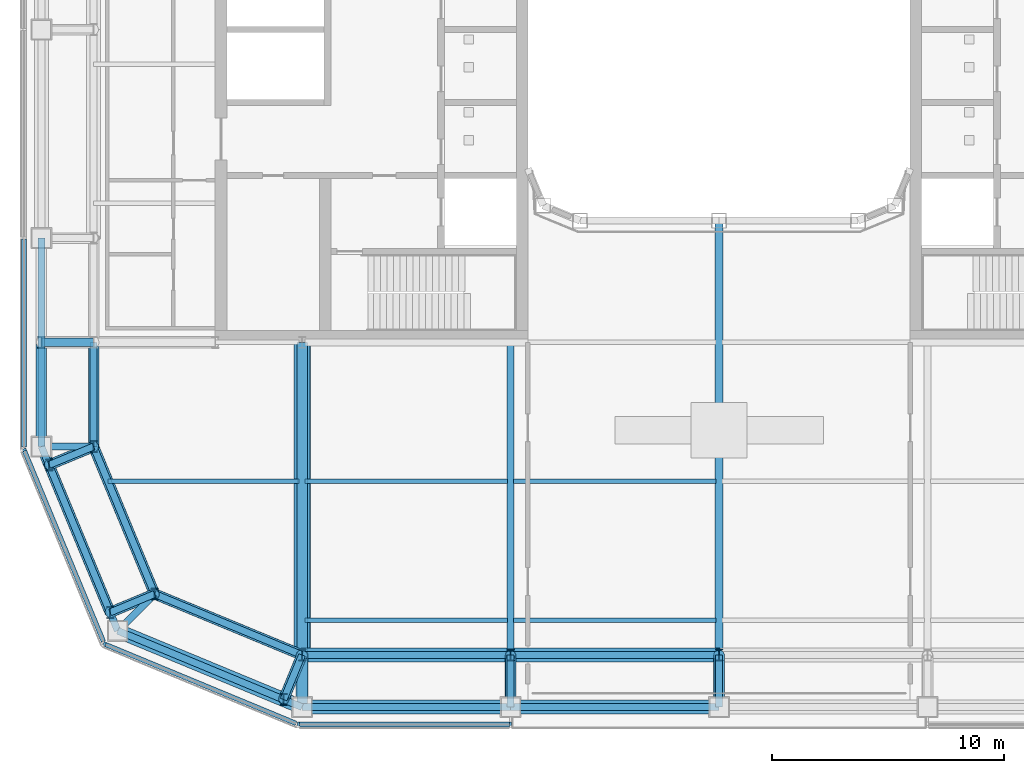
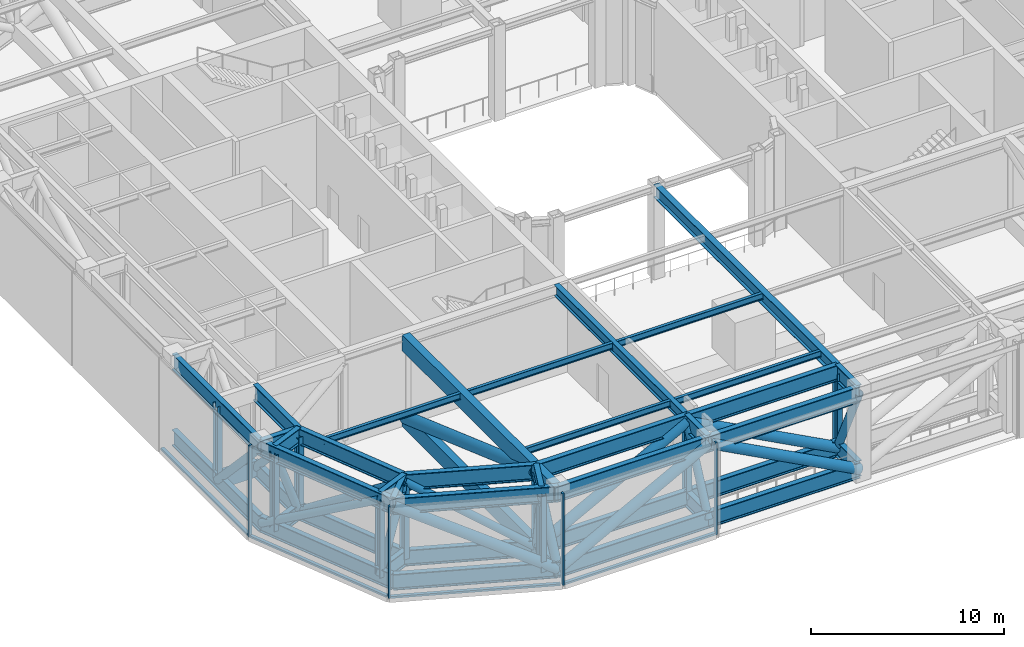
# One storey, part 2 of 22: 42 beams, 34 members, 4 elements without a shape of their own.
"""IFC4 building model written with IfcOpenShell, lengths in metres."""

from ifc_helpers import new_model, si_unit, direction, frame, origin, origin_2d, place, context, subcontext, project, spatial, rectangle, hollow_rectangle, hollow_circle, i_section, extrude, material, layer, layer_set, material_profile, profile_set, type_object, element, aggregate, save


model = new_model("IFC4")

# Units and contexts
model_context = context("Model", 3, precision=1e-05, world=origin(), true_north=direction((0.0, 1.0)))
body_context = subcontext(model_context, "Body", "Model", "MODEL_VIEW")
ifc_project = project(units=[si_unit("LENGTHUNIT", "METRE"), si_unit("AREAUNIT", "SQUARE_METRE"), si_unit("VOLUMEUNIT", "CUBIC_METRE"), si_unit("PLANEANGLEUNIT", "RADIAN"), si_unit("MASSUNIT", "GRAM", prefix="KILO")], contexts=[model_context])

# Site, building, storey
site_placement = place(None, origin())
site = spatial("IfcSite", under=ifc_project, at=site_placement, CompositionType="ELEMENT")
building_placement = place(site_placement, origin())
building = spatial("IfcBuilding", under=site, at=building_placement, Name="Siwar Civic Tower", CompositionType="ELEMENT")
storey_placement = place(building_placement, frame((0.0, 0.0, 181.199951171875)))
storey = spatial("IfcBuildingStorey", under=building, at=storey_placement, Name="L39", CompositionType="ELEMENT", Elevation=181.199951171875)

# Curtain wall, members
ifc_material_1 = material(Name="Aluminium and glass", Category="aluminium")
ifc_layer = layer(ifc_material_1, 0.199951171875)
ifc_layer_set = layer_set([ifc_layer], Name="Aluminium and glass")
curtain_wall_type = type_object("IfcCurtainWallType", Name="ENV-CW-P", PredefinedType="NOTDEFINED", material=ifc_layer_set)
curtain_wall_1_placement = place(storey_placement, origin())
curtain_wall_1 = element("IfcCurtainWall", 1, at=curtain_wall_1_placement, inside=storey, type_object=curtain_wall_type, Name="Curtain wall P S-00", PredefinedType="NOTDEFINED")
ifc_material_2 = material(Name="Aluminium 6063-T6", Category="aluminium")
ifc_material_profile_1 = material_profile(ifc_material_2, rectangle(XDim=0.199951171875, YDim=0.10009765625, at=origin_2d()), Name="AL 200x100")
ifc_profile_set_1 = profile_set([ifc_material_profile_1], Name="Aluminium 6063-T6")
member_type_1 = type_object("IfcMemberType", Name="ENV-MULLION-P", PredefinedType="MULLION", material=ifc_profile_set_1)
member_1_placement = place(storey_placement, frame((-18.149169921875, -30.0, 0.0), z_axis=(0.0, 0.0, 1.0), x_axis=(0.0, 1.0, 0.0)))
member_1 = element("IfcMember", 2, at=member_1_placement, type_object=member_type_1, Name="Mullion P S-00 1", PredefinedType="MULLION", context=body_context, shape_type="SweptSolid", body=[
    extrude(rectangle(XDim=0.199951171875, YDim=0.10009765625, at=origin_2d()), origin(), (0.0, 0.0, 1.0), 5.800048828125),
])
member_2_placement = place(storey_placement, frame((-9.0, -30.0, 0.0), z_axis=(0.0, 0.0, 1.0), x_axis=(0.0, 1.0, 0.0)))
member_2 = element("IfcMember", 3, at=member_2_placement, type_object=member_type_1, Name="Mullion P S-00 2", PredefinedType="MULLION", context=body_context, shape_type="SweptSolid", body=[
    extrude(rectangle(XDim=0.199951171875, YDim=0.10009765625, at=origin_2d()), origin(), (0.0, 0.0, 1.0), 5.800048828125),
])

# Curtain wall, member
curtain_wall_2_placement = place(storey_placement, origin())
curtain_wall_2 = element("IfcCurtainWall", 4, at=curtain_wall_2_placement, inside=storey, type_object=curtain_wall_type, Name="Curtain wall P SW1", PredefinedType="NOTDEFINED")
member_3_placement = place(storey_placement, frame((-30.0, -18.149169921875, 0.0), z_axis=(0.0, 0.0, 1.0), x_axis=(0.923879532511, 0.382683432365, 0.0)))
member_3 = element("IfcMember", 5, at=member_3_placement, type_object=member_type_1, Name="Mullion P SW1 1", PredefinedType="MULLION", context=body_context, shape_type="SweptSolid", body=[
    extrude(rectangle(XDim=0.199951171875, YDim=0.10009765625, at=origin_2d()), origin(), (0.0, 0.0, 1.0), 5.800048828125),
])

curtain_wall_3_placement = place(storey_placement, origin())
curtain_wall_3 = element("IfcCurtainWall", 6, at=curtain_wall_3_placement, inside=storey, type_object=curtain_wall_type, Name="Curtain wall P SW2", PredefinedType="NOTDEFINED")
member_4_placement = place(storey_placement, frame((-26.529052734375, -26.529052734375, 0.0), z_axis=(0.0, 0.0, 1.0), x_axis=(0.382683432365, 0.923879532511, 0.0)))
member_4 = element("IfcMember", 7, at=member_4_placement, type_object=member_type_1, Name="Mullion P SW2 1", PredefinedType="MULLION", context=body_context, shape_type="SweptSolid", body=[
    extrude(rectangle(XDim=0.199951171875, YDim=0.10009765625, at=origin_2d()), origin(), (0.0, 0.0, 1.0), 5.800048828125),
])

# Member
ifc_material_3 = material(Name="Aluminium 6063-T6", Category="aluminium")
ifc_material_profile_2 = material_profile(ifc_material_3, rectangle(XDim=0.199951171875, YDim=0.1201171875, at=origin_2d()), Name="AL 200x120")
ifc_profile_set_2 = profile_set([ifc_material_profile_2], Name="Aluminium 6063-T6")
member_type_2 = type_object("IfcMemberType", Name="ENV-TRANSOM-P", PredefinedType="USERDEFINED", material=ifc_profile_set_2)
member_5_placement = place(storey_placement, frame((-18.09912109375, -30.0, 0.06005859375), z_axis=(1.0, 0.0, 0.0), x_axis=(0.0, 1.0, 0.0)))
member_5 = element("IfcMember", 8, at=member_5_placement, type_object=member_type_2, Name="Transom P S-00 1", ObjectType="TRANSOM", PredefinedType="USERDEFINED", context=body_context, shape_type="SweptSolid", body=[
    extrude(rectangle(XDim=0.199951171875, YDim=0.1201171875, at=origin_2d()), origin(), (0.0, 0.0, 1.0), 9.049072265625),
])

aggregate(curtain_wall_1, [member_1, member_2, member_5])

# Curtain wall, member
curtain_wall_4_placement = place(storey_placement, origin())
curtain_wall_4 = element("IfcCurtainWall", 9, at=curtain_wall_4_placement, inside=storey, type_object=curtain_wall_type, Name="Curtain wall P W", PredefinedType="NOTDEFINED")
member_6_placement = place(storey_placement, frame((-30.0, -9.050048828125, 0.06005859375), z_axis=(0.0, -1.0, 0.0), x_axis=(1.0, 0.0, 0.0)))
member_6 = element("IfcMember", 10, at=member_6_placement, type_object=member_type_2, Name="Transom P W 4", ObjectType="TRANSOM", PredefinedType="USERDEFINED", context=body_context, shape_type="SweptSolid", body=[
    extrude(rectangle(XDim=0.199951171875, YDim=0.1201171875, at=origin_2d()), origin(), (0.0, 0.0, 1.0), 8.97314453125),
])
aggregate(curtain_wall_4, [member_6])

# Member
member_7_placement = place(storey_placement, frame((-29.98095703125, -18.1953125, 0.06005859375), z_axis=(0.382692802062, -0.9238756514, 0.0), x_axis=(0.9238756514, 0.382692802062, 0.0)))
member_7 = element("IfcMember", 11, at=member_7_placement, type_object=member_type_2, Name="Transom P SW1 1", ObjectType="TRANSOM", PredefinedType="USERDEFINED", context=body_context, shape_type="SweptSolid", body=[
    extrude(rectangle(XDim=0.199951171875, YDim=0.1201171875, at=origin_2d()), origin(), (0.0, 0.0, 1.0), 8.894287109375),
])

aggregate(curtain_wall_2, [member_3, member_7])

member_8_placement = place(storey_placement, frame((-26.482666015625, -26.548095703125, 0.06005859375), z_axis=(0.923881336359, -0.382679077463, 0.0), x_axis=(0.382679077463, 0.923881336359, 0.0)))
member_8 = element("IfcMember", 12, at=member_8_placement, type_object=member_type_2, Name="Transom P SW2 1", ObjectType="TRANSOM", PredefinedType="USERDEFINED", context=body_context, shape_type="SweptSolid", body=[
    extrude(rectangle(XDim=0.199951171875, YDim=0.1201171875, at=origin_2d()), origin(), (0.0, 0.0, 1.0), 8.89404296875),
])

aggregate(curtain_wall_3, [member_4, member_8])

# Beams
ifc_material_4 = material(Name="Steel S460", Category="steel")
ifc_material_profile_3 = material_profile(ifc_material_4, i_section(OverallWidth=0.302001953125, OverallDepth=1.008056640625, WebThickness=0.02099609375, FlangeThickness=0.0400390625, FilletRadius=0.030029296875, at=origin_2d()), Name="HEM1000")
ifc_profile_set_3 = profile_set([ifc_material_profile_3], Name="Steel S460")
beam_type_1 = type_object("IfcBeamType", Name="STR-BELT-TRUSS-CHORD-HEM1000", PredefinedType="BEAM", material=ifc_profile_set_3)
for number, where, z_axis, x_axis, name in (
    (13, (-18.0, -27.0, 0.504150390625), (1.0, 0.0, 0.0), (0.0, 1.0, 0.0), "Belt truss chord"),
    (14, (-18.0, -27.0, 5.296142578125), (1.0, 0.0, 0.0), (0.0, 1.0, 0.0), "Belt truss chord"),
    (15, (-9.0, -27.0, 0.504150390625), (1.0, 0.0, 0.0), (0.0, 1.0, 0.0), "Belt truss chord"),
    (16, (-9.0, -27.0, 5.296142578125), (1.0, 0.0, 0.0), (0.0, 1.0, 0.0), "Belt truss chord"),
):
    element("IfcBeam", number, at=place(storey_placement, frame(where, z_axis=z_axis, x_axis=x_axis)), inside=storey, type_object=beam_type_1, Name=name, PredefinedType="BEAM", context=body_context, shape_type="SweptSolid", body=[
        extrude(i_section(OverallWidth=0.302001953125, OverallDepth=1.008056640625, WebThickness=0.02099609375, FlangeThickness=0.0400390625, FilletRadius=0.030029296875, at=origin_2d()), origin(), (0.0, 0.0, 1.0), 9.0),
    ])
for number, where, z_axis, x_axis, name in (
    (17, (-27.0, -13.5, 0.504150390625), (0.0, -1.0, 0.0), (1.0, 0.0, 0.0), "Belt truss chord"),
    (18, (-27.0, -13.5, 5.296142578125), (0.0, -1.0, 0.0), (1.0, 0.0, 0.0), "Belt truss chord"),
):
    element("IfcBeam", number, at=place(storey_placement, frame(where, z_axis=z_axis, x_axis=x_axis)), inside=storey, type_object=beam_type_1, Name=name, PredefinedType="BEAM", context=body_context, shape_type="SweptSolid", body=[
        extrude(i_section(OverallWidth=0.302001953125, OverallDepth=1.008056640625, WebThickness=0.02099609375, FlangeThickness=0.0400390625, FilletRadius=0.030029296875, at=origin_2d()), origin(), (0.0, 0.0, 1.0), 4.5),
    ])
for number, where, z_axis, x_axis, name in (
    (19, (-27.0, -18.0, 0.504150390625), (0.382674207535, -0.923883353507, 0.0), (0.923883353507, 0.382674207535, 0.0), "Belt truss chord"),
    (20, (-27.0, -18.0, 5.296142578125), (0.382674207535, -0.923883353507, 0.0), (0.923883353507, 0.382674207535, 0.0), "Belt truss chord"),
    (21, (-24.364013671875, -24.364013671875, 0.504150390625), (0.923883353507, -0.382674207535, 0.0), (0.382674207535, 0.923883353507, 0.0), "Belt truss chord"),
    (22, (-24.364013671875, -24.364013671875, 5.296142578125), (0.923883353507, -0.382674207535, 0.0), (0.382674207535, 0.923883353507, 0.0), "Belt truss chord"),
):
    element("IfcBeam", number, at=place(storey_placement, frame(where, z_axis=z_axis, x_axis=x_axis)), inside=storey, type_object=beam_type_1, Name=name, PredefinedType="BEAM", context=body_context, shape_type="SweptSolid", body=[
        extrude(i_section(OverallWidth=0.302001953125, OverallDepth=1.008056640625, WebThickness=0.02099609375, FlangeThickness=0.0400390625, FilletRadius=0.030029296875, at=origin_2d()), origin(), (0.0, 0.0, 1.0), 6.888427734375),
    ])
for number, where, z_axis, x_axis, name in (
    (23, (-18.0, -29.25, 0.504150390625), (1.0, 0.0, 0.0), (0.0, 1.0, 0.0), "Belt truss chord"),
    (24, (-18.0, -29.25, 5.296142578125), (1.0, 0.0, 0.0), (0.0, 1.0, 0.0), "Belt truss chord"),
    (25, (-9.0, -29.25, 0.504150390625), (1.0, 0.0, 0.0), (0.0, 1.0, 0.0), "Belt truss chord"),
    (26, (-9.0, -29.25, 5.296142578125), (1.0, 0.0, 0.0), (0.0, 1.0, 0.0), "Belt truss chord"),
    (27, (-29.25, -9.0, 0.504150390625), (0.0, -1.0, 0.0), (1.0, 0.0, 0.0), "Belt truss chord"),
    (28, (-29.25, -9.0, 5.296142578125), (0.0, -1.0, 0.0), (1.0, 0.0, 0.0), "Belt truss chord"),
):
    element("IfcBeam", number, at=place(storey_placement, frame(where, z_axis=z_axis, x_axis=x_axis)), inside=storey, type_object=beam_type_1, Name=name, PredefinedType="BEAM", context=body_context, shape_type="SweptSolid", body=[
        extrude(i_section(OverallWidth=0.302001953125, OverallDepth=1.008056640625, WebThickness=0.02099609375, FlangeThickness=0.0400390625, FilletRadius=0.030029296875, at=origin_2d()), origin(), (0.0, 0.0, 1.0), 9.0),
    ])
for number, where, z_axis, x_axis, name in (
    (29, (-29.25, -18.0, 0.504150390625), (0.382699877515, -0.923872720536, 0.0), (0.923872720536, 0.382699877515, 0.0), "Belt truss chord"),
    (30, (-29.25, -18.0, 5.296142578125), (0.382699877515, -0.923872720536, 0.0), (0.923872720536, 0.382699877515, 0.0), "Belt truss chord"),
    (31, (-25.954833984375, -25.954833984375, 0.504150390625), (0.923872720536, -0.382699877515, 0.0), (0.382699877515, 0.923872720536, 0.0), "Belt truss chord"),
    (32, (-25.954833984375, -25.954833984375, 5.296142578125), (0.923872720536, -0.382699877515, 0.0), (0.382699877515, 0.923872720536, 0.0), "Belt truss chord"),
):
    element("IfcBeam", number, at=place(storey_placement, frame(where, z_axis=z_axis, x_axis=x_axis)), inside=storey, type_object=beam_type_1, Name=name, PredefinedType="BEAM", context=body_context, shape_type="SweptSolid", body=[
        extrude(i_section(OverallWidth=0.302001953125, OverallDepth=1.008056640625, WebThickness=0.02099609375, FlangeThickness=0.0400390625, FilletRadius=0.030029296875, at=origin_2d()), origin(), (0.0, 0.0, 1.0), 8.6103515625),
    ])

# Members
ifc_material_5 = material(Name="Steel S355", Category="steel")
ifc_material_profile_4 = material_profile(ifc_material_5, hollow_circle(Radius=0.228515625, WallThickness=0.02001953125, at=origin_2d()), Name="CHS457x20")
ifc_profile_set_4 = profile_set([ifc_material_profile_4], Name="Steel S355")
member_type_3 = type_object("IfcMemberType", Name="STR-BELT-TRUSS-DIAGONAL-CHS457x20", PredefinedType="BRACE", material=ifc_profile_set_4)
member_9_placement = place(storey_placement, frame((-27.0, -13.49658203125, 0.50048828125), z_axis=(0.0, -0.684545317859, 0.728970306526), x_axis=(1.0, 0.0, 0.0)))
element("IfcMember", 33, at=member_9_placement, inside=storey, type_object=member_type_3, Name="Belt truss diagonal", PredefinedType="BRACE", context=body_context, shape_type="SweptSolid", body=[
    extrude(hollow_circle(Radius=0.228515625, WallThickness=0.02001953125, at=origin_2d()), origin(), (0.0, 0.0, 1.0), 6.583740234375),
])
for number, where, z_axis, x_axis, name in (
    (34, (-27.00146484375, -17.99609375, 0.501220703125), (0.314142859752, -0.758418164088, 0.571065803606), (0.923881354208, 0.38267903437, 0.0), "Belt truss diagonal"),
    (35, (-17.99609375, -27.00146484375, 0.501220703125), (-0.758418164088, 0.314142859752, 0.571065803606), (-0.38267903437, -0.923881354208, 0.0), "Belt truss diagonal"),
):
    element("IfcMember", number, at=place(storey_placement, frame(where, z_axis=z_axis, x_axis=x_axis)), inside=storey, type_object=member_type_3, Name=name, PredefinedType="BRACE", context=body_context, shape_type="SweptSolid", body=[
        extrude(hollow_circle(Radius=0.228515625, WallThickness=0.02001953125, at=origin_2d()), origin(), (0.0, 0.0, 1.0), 8.401123046875),
    ])
member_10_placement = place(storey_placement, frame((-29.25, -13.49658203125, 0.50048828125), z_axis=(0.0, -0.684545317859, 0.728970306526), x_axis=(1.0, 0.0, 0.0)))
element("IfcMember", 36, at=member_10_placement, inside=storey, type_object=member_type_3, Name="Belt truss diagonal", PredefinedType="BRACE", context=body_context, shape_type="SweptSolid", body=[
    extrude(hollow_circle(Radius=0.228515625, WallThickness=0.02001953125, at=origin_2d()), origin(), (0.0, 0.0, 1.0), 6.583740234375),
])
member_11_placement = place(storey_placement, frame((-29.251708984375, -17.99609375, 0.50146484375), z_axis=(0.325504254378, -0.785776531187, 0.525929865493), x_axis=(0.923869157387, 0.38270847917, 0.0)))
element("IfcMember", 37, at=member_11_placement, inside=storey, type_object=member_type_3, Name="Belt truss diagonal", PredefinedType="BRACE", context=body_context, shape_type="SweptSolid", body=[
    extrude(hollow_circle(Radius=0.228515625, WallThickness=0.02001953125, at=origin_2d()), origin(), (0.0, 0.0, 1.0), 9.12109375),
])
member_12_placement = place(storey_placement, frame((-17.999267578125, -26.998046875, 0.49951171875), z_axis=(-0.15226891252, -0.367703299168, 0.917392207325), x_axis=(0.923913980191, -0.382600257719, 0.0)))
element("IfcMember", 38, at=member_12_placement, inside=storey, type_object=member_type_3, Name="Belt truss diagonal", PredefinedType="BRACE", context=body_context, shape_type="SweptSolid", body=[
    extrude(hollow_circle(Radius=0.228515625, WallThickness=0.02001953125, at=origin_2d()), origin(), (0.0, 0.0, 1.0), 5.2333984375),
])
for number, where, z_axis, x_axis, name in (
    (39, (-9.0, -29.252197265625, 0.49951171875), (0.0, 0.425038765055, 0.905175147803), (-1.0, 0.0, 0.0), "Belt truss diagonal"),
    (40, (0.0, -26.997802734375, 0.49951171875), (0.0, -0.425038765055, 0.905175147803), (1.0, 0.0, 0.0), "Belt truss diagonal"),
):
    element("IfcMember", number, at=place(storey_placement, frame(where, z_axis=z_axis, x_axis=x_axis)), inside=storey, type_object=member_type_3, Name=name, PredefinedType="BRACE", context=body_context, shape_type="SweptSolid", body=[
        extrude(hollow_circle(Radius=0.228515625, WallThickness=0.02001953125, at=origin_2d()), origin(), (0.0, 0.0, 1.0), 5.303955078125),
    ])
for number, where, z_axis, x_axis, name in (
    (41, (-26.998046875, -17.999267578125, 0.49951171875), (-0.367703299168, -0.15226891252, 0.917392207325), (0.382600257719, -0.923913980191, 0.0), "Belt truss diagonal"),
    (42, (-26.286376953125, -25.16015625, 0.49951171875), (0.367703299168, 0.15226891252, 0.917392207325), (-0.382600257719, 0.923913980191, 0.0), "Belt truss diagonal"),
):
    element("IfcMember", number, at=place(storey_placement, frame(where, z_axis=z_axis, x_axis=x_axis)), inside=storey, type_object=member_type_3, Name=name, PredefinedType="BRACE", context=body_context, shape_type="SweptSolid", body=[
        extrude(hollow_circle(Radius=0.228515625, WallThickness=0.02001953125, at=origin_2d()), origin(), (0.0, 0.0, 1.0), 5.2333984375),
    ])
ifc_material_6 = material(Name="Steel S355", Category="steel")
ifc_material_profile_5 = material_profile(ifc_material_6, hollow_circle(Radius=0.304931640625, WallThickness=0.030029296875, at=origin_2d()), Name="CHS610x30")
ifc_profile_set_5 = profile_set([ifc_material_profile_5], Name="Steel S355")
member_type_4 = type_object("IfcMemberType", Name="STR-BELT-TRUSS-DIAGONAL-CHS610x30", PredefinedType="BRACE", material=ifc_profile_set_5)
for number, where, z_axis, x_axis, name in (
    (43, (-18.00439453125, -27.0, 0.501708984375), (0.882680501151, 0.0, 0.469973544881), (0.0, 1.0, 0.0), "Belt truss diagonal"),
    (44, (0.00439453125, -27.0, 0.501708984375), (-0.882680501151, 0.0, 0.469973544881), (0.0, -1.0, 0.0), "Belt truss diagonal"),
    (45, (-18.00439453125, -29.25, 0.501708984375), (0.882680501151, 0.0, 0.469973544881), (0.0, 1.0, 0.0), "Belt truss diagonal"),
    (46, (0.00439453125, -29.25, 0.501708984375), (-0.882680501151, 0.0, 0.469973544881), (0.0, -1.0, 0.0), "Belt truss diagonal"),
):
    element("IfcMember", number, at=place(storey_placement, frame(where, z_axis=z_axis, x_axis=x_axis)), inside=storey, type_object=member_type_4, Name=name, PredefinedType="BRACE", context=body_context, shape_type="SweptSolid", body=[
        extrude(hollow_circle(Radius=0.304931640625, WallThickness=0.030029296875, at=origin_2d()), origin(), (0.0, 0.0, 1.0), 10.2060546875),
    ])
member_13_placement = place(storey_placement, frame((-17.995849609375, -29.251708984375, 0.501708984375), z_axis=(-0.807284049506, 0.334378008671, 0.486296011427), x_axis=(-0.382673670509, -0.923883575944, 0.0)))
element("IfcMember", 47, at=member_13_placement, inside=storey, type_object=member_type_4, Name="Belt truss diagonal", PredefinedType="BRACE", context=body_context, shape_type="SweptSolid", body=[
    extrude(hollow_circle(Radius=0.304931640625, WallThickness=0.030029296875, at=origin_2d()), origin(), (0.0, 0.0, 1.0), 9.864013671875),
])

# Beams
ifc_material_7 = material(Name="Steel S460", Category="steel")
ifc_material_profile_6 = material_profile(ifc_material_7, i_section(OverallWidth=0.302001953125, OverallDepth=1.008056640625, WebThickness=0.02099609375, FlangeThickness=0.0400390625, FilletRadius=0.030029296875, at=origin_2d()), Name="HEM1000")
ifc_profile_set_6 = profile_set([ifc_material_profile_6], Name="Steel S460")
beam_type_2 = type_object("IfcBeamType", Name="STR-BELT-TRUSS-LADDER-CHORD-HEM1000", PredefinedType="BEAM", material=ifc_profile_set_6)
for number, where, z_axis, x_axis, name in (
    (48, (-18.0, -27.0, 0.504150390625), (-0.382662992588, -0.923887998679, 0.0), (0.923887998679, -0.382662992588, 0.0), "Belt truss ladder chord"),
    (49, (-18.0, -27.0, 5.296142578125), (-0.382662992588, -0.923887998679, 0.0), (0.923887998679, -0.382662992588, 0.0), "Belt truss ladder chord"),
):
    element("IfcBeam", number, at=place(storey_placement, frame(where, z_axis=z_axis, x_axis=x_axis)), inside=storey, type_object=beam_type_2, Name=name, PredefinedType="BEAM", context=body_context, shape_type="SweptSolid", body=[
        extrude(i_section(OverallWidth=0.302001953125, OverallDepth=1.008056640625, WebThickness=0.02099609375, FlangeThickness=0.0400390625, FilletRadius=0.030029296875, at=origin_2d()), origin(), (0.0, 0.0, 1.0), 2.07861328125),
    ])
for number, where, z_axis, x_axis, name in (
    (50, (-9.0, -27.0, 0.504150390625), (0.0, -1.0, 0.0), (1.0, 0.0, 0.0), "Belt truss ladder chord"),
    (51, (-9.0, -27.0, 5.296142578125), (0.0, -1.0, 0.0), (1.0, 0.0, 0.0), "Belt truss ladder chord"),
    (52, (0.0, -27.0, 0.504150390625), (0.0, -1.0, 0.0), (1.0, 0.0, 0.0), "Belt truss ladder chord"),
    (53, (0.0, -27.0, 5.296142578125), (0.0, -1.0, 0.0), (1.0, 0.0, 0.0), "Belt truss ladder chord"),
):
    element("IfcBeam", number, at=place(storey_placement, frame(where, z_axis=z_axis, x_axis=x_axis)), inside=storey, type_object=beam_type_2, Name=name, PredefinedType="BEAM", context=body_context, shape_type="SweptSolid", body=[
        extrude(i_section(OverallWidth=0.302001953125, OverallDepth=1.008056640625, WebThickness=0.02099609375, FlangeThickness=0.0400390625, FilletRadius=0.030029296875, at=origin_2d()), origin(), (0.0, 0.0, 1.0), 2.25),
    ])
for number, where, z_axis, x_axis, name in (
    (54, (-27.0, -18.0, 0.504150390625), (-0.923887998679, -0.382662992588, 0.0), (0.382662992588, -0.923887998679, 0.0), "Belt truss ladder chord"),
    (55, (-27.0, -18.0, 5.296142578125), (-0.923887998679, -0.382662992588, 0.0), (0.382662992588, -0.923887998679, 0.0), "Belt truss ladder chord"),
    (56, (-24.364013671875, -24.364013671875, 0.504150390625), (-0.923887998679, -0.382662992588, 0.0), (0.382662992588, -0.923887998679, 0.0), "Belt truss ladder chord"),
    (57, (-24.364013671875, -24.364013671875, 5.296142578125), (-0.923887998679, -0.382662992588, 0.0), (0.382662992588, -0.923887998679, 0.0), "Belt truss ladder chord"),
):
    element("IfcBeam", number, at=place(storey_placement, frame(where, z_axis=z_axis, x_axis=x_axis)), inside=storey, type_object=beam_type_2, Name=name, PredefinedType="BEAM", context=body_context, shape_type="SweptSolid", body=[
        extrude(i_section(OverallWidth=0.302001953125, OverallDepth=1.008056640625, WebThickness=0.02099609375, FlangeThickness=0.0400390625, FilletRadius=0.030029296875, at=origin_2d()), origin(), (0.0, 0.0, 1.0), 2.07861328125),
    ])

# Members
ifc_material_8 = material(Name="Steel S355", Category="steel")
ifc_material_profile_7 = material_profile(ifc_material_8, i_section(OverallWidth=0.300048828125, OverallDepth=0.5, WebThickness=0.014404296875, FlangeThickness=0.028076171875, FilletRadius=0.027099609375, at=origin_2d()), Name="HEB500")
ifc_profile_set_7 = profile_set([ifc_material_profile_7], Name="Steel S355")
member_type_5 = type_object("IfcMemberType", Name="STR-BELT-TRUSS-POST-HEB500", PredefinedType="POST", material=ifc_profile_set_7)
for number, where, z_axis, x_axis, name in (
    (58, (-29.25, -13.5, 0.504150390625), (0.0, 0.0, 1.0), (1.0, 0.0, 0.0), "Belt truss post"),
    (59, (-28.92041015625, -18.79541015625, 0.504150390625), (0.0, 0.0, 1.0), (1.0, 0.0, 0.0), "Belt truss post"),
    (60, (-27.0, -18.0, 0.504150390625), (0.0, 0.0, 1.0), (1.0, 0.0, 0.0), "Belt truss post"),
    (61, (-26.284423828125, -25.159423828125, 0.504150390625), (0.0, 0.0, 1.0), (1.0, 0.0, 0.0), "Belt truss post"),
    (62, (-24.364013671875, -24.364013671875, 0.504150390625), (0.0, 0.0, 1.0), (1.0, 0.0, 0.0), "Belt truss post"),
    (63, (-18.79541015625, -28.92041015625, 0.504150390625), (0.0, 0.0, 1.0), (1.0, 0.0, 0.0), "Belt truss post"),
    (64, (-18.0, -27.0, 0.504150390625), (0.0, 0.0, 1.0), (1.0, 0.0, 0.0), "Belt truss post"),
    (65, (-9.0, -27.0, 0.504150390625), (0.0, 0.0, 1.0), (1.0, 0.0, 0.0), "Belt truss post"),
    (66, (0.0, -27.0, 0.504150390625), (0.0, 0.0, 1.0), (1.0, 0.0, 0.0), "Belt truss post"),
):
    element("IfcMember", number, at=place(storey_placement, frame(where, z_axis=z_axis, x_axis=x_axis)), inside=storey, type_object=member_type_5, Name=name, PredefinedType="POST", context=body_context, shape_type="SweptSolid", body=[
        extrude(i_section(OverallWidth=0.300048828125, OverallDepth=0.5, WebThickness=0.014404296875, FlangeThickness=0.028076171875, FilletRadius=0.027099609375, at=origin_2d()), origin(), (0.0, 0.0, 1.0), 4.7919921875),
    ])

# Beams
ifc_material_9 = material(Name="Steel S355", Category="steel")
ifc_material_profile_8 = material_profile(ifc_material_9, i_section(OverallWidth=0.179931640625, OverallDepth=0.39990234375, WebThickness=0.008544921875, FlangeThickness=0.013427734375, FilletRadius=0.02099609375, at=origin_2d()), Name="IPE400")
ifc_profile_set_8 = profile_set([ifc_material_profile_8], Name="Steel S355")
beam_type_3 = type_object("IfcBeamType", Name="STR-FB-IPE400", PredefinedType="JOIST", material=ifc_profile_set_8)
for number, where, z_axis, x_axis, name in (
    (67, (-17.8701171875, -25.5, 5.60009765625), (1.0, 0.0, 0.0), (0.0, 1.0, 0.0), "L39/bm/F001"),
    (68, (-8.8701171875, -25.5, 5.60009765625), (1.0, 0.0, 0.0), (0.0, 1.0, 0.0), "L39/bm/F002"),
):
    element("IfcBeam", number, at=place(storey_placement, frame(where, z_axis=z_axis, x_axis=x_axis)), inside=storey, type_object=beam_type_3, Name=name, PredefinedType="JOIST", context=body_context, shape_type="SweptSolid", body=[
        extrude(i_section(OverallWidth=0.179931640625, OverallDepth=0.39990234375, WebThickness=0.008544921875, FlangeThickness=0.013427734375, FilletRadius=0.02099609375, at=origin_2d()), origin(), (0.0, 0.0, 1.0), 8.740234375),
    ])
beam_1_placement = place(storey_placement, frame((-26.378662109375, -19.5, 5.60009765625), z_axis=(1.0, 0.0, 0.0), x_axis=(0.0, 1.0, 0.0)))
element("IfcBeam", 69, at=beam_1_placement, inside=storey, type_object=beam_type_3, Name="L39/bm/F005", PredefinedType="JOIST", context=body_context, shape_type="SweptSolid", body=[
    extrude(i_section(OverallWidth=0.179931640625, OverallDepth=0.39990234375, WebThickness=0.008544921875, FlangeThickness=0.013427734375, FilletRadius=0.02099609375, at=origin_2d()), origin(), (0.0, 0.0, 1.0), 8.248779296875),
])
for number, where, z_axis, x_axis, name in (
    (70, (-17.8701171875, -19.5, 5.60009765625), (1.0, 0.0, 0.0), (0.0, 1.0, 0.0), "L39/bm/F006"),
    (71, (-8.8701171875, -19.5, 5.60009765625), (1.0, 0.0, 0.0), (0.0, 1.0, 0.0), "L39/bm/F007"),
):
    element("IfcBeam", number, at=place(storey_placement, frame(where, z_axis=z_axis, x_axis=x_axis)), inside=storey, type_object=beam_type_3, Name=name, PredefinedType="JOIST", context=body_context, shape_type="SweptSolid", body=[
        extrude(i_section(OverallWidth=0.179931640625, OverallDepth=0.39990234375, WebThickness=0.008544921875, FlangeThickness=0.013427734375, FilletRadius=0.02099609375, at=origin_2d()), origin(), (0.0, 0.0, 1.0), 8.740234375),
    ])
ifc_material_10 = material(Name="Steel S460", Category="steel")
ifc_material_profile_9 = material_profile(ifc_material_10, hollow_rectangle(XDim=0.35009765625, YDim=1.008056640625, WallThickness=0.0400390625, at=origin_2d()), Name="BOX1008x350x40")
ifc_profile_set_9 = profile_set([ifc_material_profile_9], Name="Steel S460")
beam_type_4 = type_object("IfcBeamType", Name="STR-OUTRIGGER-TRUSS-CHORD-BOX1008x350x40", PredefinedType="BEAM", material=ifc_profile_set_9)
beam_2_placement = place(storey_placement, frame((-29.25, -13.5, 0.504150390625), z_axis=(1.0, 0.0, 0.0), x_axis=(0.0, 1.0, 0.0)))
element("IfcBeam", 72, at=beam_2_placement, inside=storey, type_object=beam_type_4, Name="Outrigger truss chord", PredefinedType="BEAM", context=body_context, shape_type="SweptSolid", body=[
    extrude(hollow_rectangle(XDim=0.35009765625, YDim=1.008056640625, WallThickness=0.0400390625, at=origin_2d()), origin(), (0.0, 0.0, 1.0), 2.25),
])
ifc_material_11 = material(Name="Steel S460", Category="steel")
ifc_material_profile_10 = material_profile(ifc_material_11, hollow_rectangle(XDim=0.449951171875, YDim=1.008056640625, WallThickness=0.044921875, at=origin_2d()), Name="BOX1008x450x45")
ifc_profile_set_10 = profile_set([ifc_material_profile_10], Name="Steel S460")
beam_type_5 = type_object("IfcBeamType", Name="STR-OUTRIGGER-TRUSS-CHORD-BOX1008x450x45", PredefinedType="BEAM", material=ifc_profile_set_10)
for number, where, z_axis, x_axis, name in (
    (73, (-18.0, -29.25, 0.504150390625), (0.0, 1.0, 0.0), (-1.0, 0.0, 0.0), "Outrigger truss chord"),
    (74, (-18.0, -29.25, 5.296142578125), (0.0, 1.0, 0.0), (-1.0, 0.0, 0.0), "Outrigger truss chord"),
):
    element("IfcBeam", number, at=place(storey_placement, frame(where, z_axis=z_axis, x_axis=x_axis)), inside=storey, type_object=beam_type_5, Name=name, PredefinedType="BEAM", context=body_context, shape_type="SweptSolid", body=[
        extrude(hollow_rectangle(XDim=0.449951171875, YDim=1.008056640625, WallThickness=0.044921875, at=origin_2d()), origin(), (0.0, 0.0, 1.0), 15.75),
    ])

# Members
ifc_material_12 = material(Name="Steel S355", Category="steel")
ifc_material_profile_11 = material_profile(ifc_material_12, hollow_circle(Radius=0.25390625, WallThickness=0.02490234375, at=origin_2d()), Name="CHS508x25")
ifc_profile_set_11 = profile_set([ifc_material_profile_11], Name="Steel S355")
member_type_6 = type_object("IfcMemberType", Name="STR-OUTRIGGER-TRUSS-DIAGONAL-CHS508x25", PredefinedType="BRACE", material=ifc_profile_set_11)
member_14_placement = place(storey_placement, frame((-18.0, -29.252197265625, 0.49951171875), z_axis=(0.0, 0.425038765055, 0.905175147803), x_axis=(-1.0, 0.0, 0.0)))
element("IfcMember", 75, at=member_14_placement, inside=storey, type_object=member_type_6, Name="Outrigger truss diagonal", PredefinedType="BRACE", context=body_context, shape_type="SweptSolid", body=[
    extrude(hollow_circle(Radius=0.25390625, WallThickness=0.02490234375, at=origin_2d()), origin(), (0.0, 0.0, 1.0), 5.303955078125),
])
ifc_material_13 = material(Name="Steel S355", Category="steel")
ifc_material_profile_12 = material_profile(ifc_material_13, hollow_circle(Radius=0.35546875, WallThickness=0.0400390625, at=origin_2d()), Name="CHS711x40")
ifc_profile_set_12 = profile_set([ifc_material_profile_12], Name="Steel S355")
member_type_7 = type_object("IfcMemberType", Name="STR-OUTRIGGER-TRUSS-DIAGONAL-CHS711x40", PredefinedType="BRACE", material=ifc_profile_set_12)
member_15_placement = place(storey_placement, frame((-18.0, -13.495361328125, 0.50244140625), z_axis=(0.0, -0.942393631348, 0.334505969446), x_axis=(1.0, 0.0, 0.0)))
element("IfcMember", 76, at=member_15_placement, inside=storey, type_object=member_type_7, Name="Outrigger truss diagonal", PredefinedType="BRACE", context=body_context, shape_type="SweptSolid", body=[
    extrude(hollow_circle(Radius=0.35546875, WallThickness=0.0400390625, at=origin_2d()), origin(), (0.0, 0.0, 1.0), 14.3349609375),
])

# Beams
ifc_material_14 = material(Name="Steel S355", Category="steel")
ifc_material_profile_13 = material_profile(ifc_material_14, i_section(OverallWidth=0.300048828125, OverallDepth=0.699951171875, WebThickness=0.01708984375, FlangeThickness=0.031982421875, FilletRadius=0.027099609375, at=origin_2d()), Name="HEB700")
ifc_profile_set_13 = profile_set([ifc_material_profile_13], Name="Steel S355")
beam_type_6 = type_object("IfcBeamType", Name="STR-PG-HEB700", PredefinedType="BEAM", material=ifc_profile_set_13)
beam_3_placement = place(storey_placement, frame((-9.0, -27.0, 5.449951171875), z_axis=(0.0, 1.0, 0.0), x_axis=(-1.0, 0.0, 0.0)))
element("IfcBeam", 77, at=beam_3_placement, inside=storey, type_object=beam_type_6, Name="L39/bm/G01", PredefinedType="BEAM", context=body_context, shape_type="SweptSolid", body=[
    extrude(i_section(OverallWidth=0.300048828125, OverallDepth=0.699951171875, WebThickness=0.01708984375, FlangeThickness=0.031982421875, FilletRadius=0.027099609375, at=origin_2d()), origin(), (0.0, 0.0, 1.0), 13.5),
])
ifc_material_15 = material(Name="Steel S355", Category="steel")
ifc_material_profile_14 = material_profile(ifc_material_15, i_section(OverallWidth=0.360107421875, OverallDepth=0.800048828125, WebThickness=0.013916015625, FlangeThickness=0.031982421875, at=origin_2d()), Name="PG800x360x14x32")
ifc_profile_set_14 = profile_set([ifc_material_profile_14], Name="Steel S355")
beam_type_7 = type_object("IfcBeamType", Name="STR-PG-PG800x360x14x32", PredefinedType="BEAM", material=ifc_profile_set_14)
beam_4_placement = place(storey_placement, frame((0.0, -27.0, 5.400146484375), z_axis=(0.0, 1.0, 0.0), x_axis=(-1.0, 0.0, 0.0)))
element("IfcBeam", 78, at=beam_4_placement, inside=storey, type_object=beam_type_7, Name="L39/bm/G03", PredefinedType="BEAM", context=body_context, shape_type="SweptSolid", body=[
    extrude(i_section(OverallWidth=0.360107421875, OverallDepth=0.800048828125, WebThickness=0.013916015625, FlangeThickness=0.031982421875, at=origin_2d()), origin(), (0.0, 0.0, 1.0), 18.75),
])
ifc_material_16 = material(Name="Steel S460", Category="steel")
ifc_material_profile_15 = material_profile(ifc_material_16, i_section(OverallWidth=0.302001953125, OverallDepth=1.008056640625, WebThickness=0.02099609375, FlangeThickness=0.0400390625, FilletRadius=0.030029296875, at=origin_2d()), Name="HEM1000")
ifc_profile_set_15 = profile_set([ifc_material_profile_15], Name="Steel S460")
beam_type_8 = type_object("IfcBeamType", Name="STR-TRANSFER-GIRDER-HEM1000", PredefinedType="BEAM", material=ifc_profile_set_15)
beam_5_placement = place(storey_placement, frame((-27.0, -18.0, 5.296142578125), z_axis=(-1.0, 0.0, 0.0), x_axis=(0.0, -1.0, 0.0)))
element("IfcBeam", 79, at=beam_5_placement, inside=storey, type_object=beam_type_8, Name="Transfer girder", PredefinedType="BEAM", context=body_context, shape_type="SweptSolid", body=[
    extrude(i_section(OverallWidth=0.302001953125, OverallDepth=1.008056640625, WebThickness=0.02099609375, FlangeThickness=0.0400390625, FilletRadius=0.030029296875, at=origin_2d()), origin(), (0.0, 0.0, 1.0), 2.25),
])
beam_6_placement = place(storey_placement, frame((-24.364013671875, -24.364013671875, 5.296142578125), z_axis=(-0.707106781187, -0.707106781187, 0.0), x_axis=(0.707106781187, -0.707106781187, 0.0)))
element("IfcBeam", 80, at=beam_6_placement, inside=storey, type_object=beam_type_8, Name="Transfer girder", PredefinedType="BEAM", context=body_context, shape_type="SweptSolid", body=[
    extrude(i_section(OverallWidth=0.302001953125, OverallDepth=1.008056640625, WebThickness=0.02099609375, FlangeThickness=0.0400390625, FilletRadius=0.030029296875, at=origin_2d()), origin(), (0.0, 0.0, 1.0), 2.249755859375),
])

save(model, "model.ifc")
